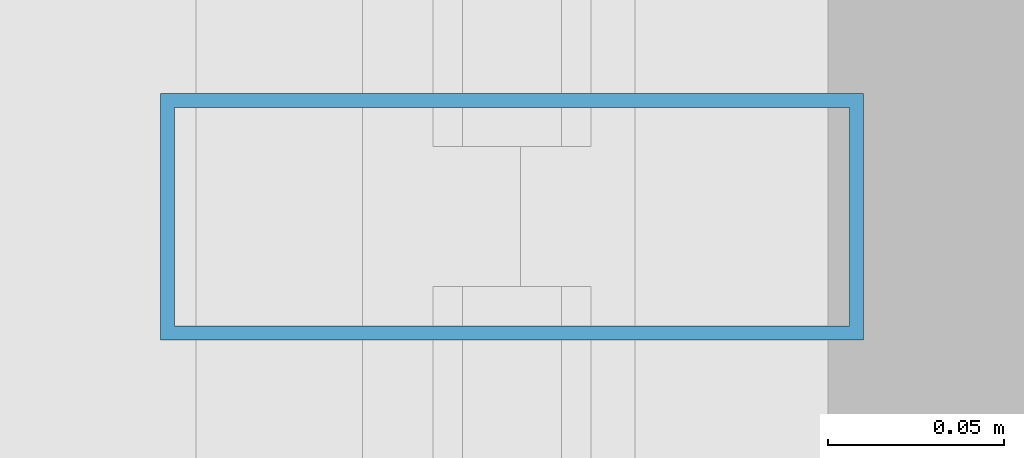
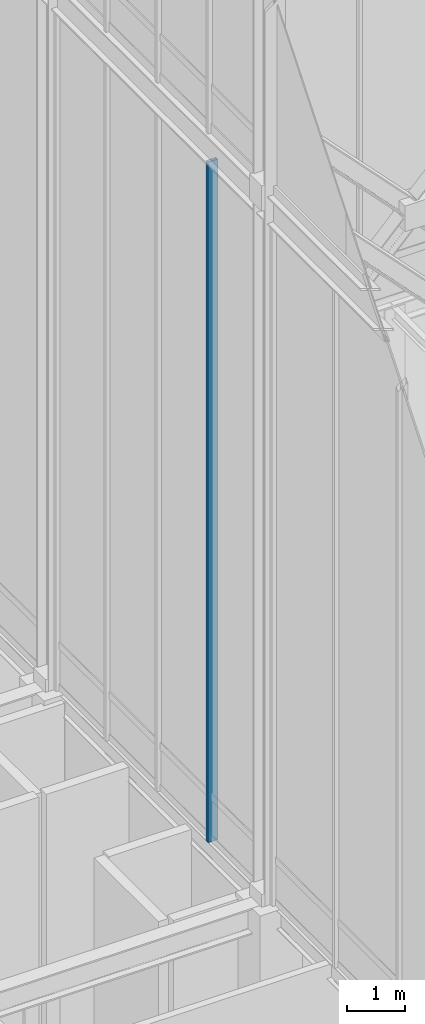
# One storey, part 6 of 49: 1 member, 1 element without a shape of its own.
"""IFC4 building model written with IfcOpenShell, lengths in metres."""

from ifc_helpers import new_model, si_unit, direction, frame, origin, origin_2d, place, context, subcontext, project, spatial, hollow_rectangle, extrude, source, transform, mapped, material, layer, layer_set, material_profile, profile_set, type_object, element, aggregate, save


model = new_model("IFC4")

# Units and contexts
model_context = context("Model", 3, precision=1e-05, world=origin(), true_north=direction((0.0, 1.0)))
body_context = subcontext(model_context, "Body", "Model", "MODEL_VIEW")
ifc_project = project(units=[si_unit("LENGTHUNIT", "METRE"), si_unit("AREAUNIT", "SQUARE_METRE"), si_unit("VOLUMEUNIT", "CUBIC_METRE"), si_unit("PLANEANGLEUNIT", "RADIAN"), si_unit("MASSUNIT", "GRAM", prefix="KILO")], contexts=[model_context])

# Site, building, storey
site_placement = place(None, origin())
site = spatial("IfcSite", under=ifc_project, at=site_placement, CompositionType="ELEMENT")
building_placement = place(site_placement, origin())
building = spatial("IfcBuilding", under=site, at=building_placement, Name="Kaliganga Portal Commons", CompositionType="ELEMENT")
storey_placement = place(building_placement, frame((0.0, 0.0, 298.0)))
storey = spatial("IfcBuildingStorey", under=building, at=storey_placement, Name="L77", CompositionType="ELEMENT", Elevation=298.0)

# Curtain wall, member
ifc_material_1 = material(Name="Anodized Aluminium and Laminated Low-E Glass", Category="aluminium")
ifc_layer = layer(ifc_material_1, 0.25)
ifc_layer_set = layer_set([ifc_layer], Name="Anodized Aluminium and Laminated Low-E Glass")
curtain_wall_type = type_object("IfcCurtainWallType", Name="CW-SYS-06", PredefinedType="NOTDEFINED", material=ifc_layer_set)
curtain_wall_placement = place(storey_placement, origin())
curtain_wall = element("IfcCurtainWall", 1, at=curtain_wall_placement, inside=storey, type_object=curtain_wall_type, Name="CW 06 L77 W", PredefinedType="NOTDEFINED")
ifc_material_2 = material(Name="Dark Bronze Anodized Aluminium", Category="aluminium")
ifc_material_profile = material_profile(ifc_material_2, hollow_rectangle(XDim=0.070068359375, YDim=0.199951171875, WallThickness=0.00390625, at=origin_2d()), Name="ALU MULL 70x200x4")
ifc_profile_set = profile_set([ifc_material_profile], Name="Dark Bronze Anodized Aluminium")
member_type = type_object("IfcMemberType", Name="CW-MUL-220", PredefinedType="MULLION", material=ifc_profile_set)
shared_shape = source(origin(), body_context, "Body", "SweptSolid", [
    extrude(hollow_rectangle(XDim=0.070068359375, YDim=0.199951171875, WallThickness=0.00390625, at=origin_2d()), origin(), (0.0, 0.0, 1.0), 14.39990234375),
])
member_placement = place(storey_placement, frame((14.39990234375, 30.6298828125, 6.0), z_axis=(0.0, 0.0, 1.0), x_axis=(0.0, 1.0, 0.0)))
member = element("IfcMember", 2, at=member_placement, type_object=member_type, Name="CW:06:L77:W Mullion 01", PredefinedType="MULLION", context=body_context, shape_type="MappedRepresentation", body=[
    mapped(shared_shape, transform((0.0, 0.0, 0.0), x_axis=(1.0, 0.0, 0.0), y_axis=(0.0, 1.0, 0.0), z_axis=(0.0, 0.0, 1.0), scale=1.0)),
])
aggregate(curtain_wall, [member])

save(model, "model.ifc")
